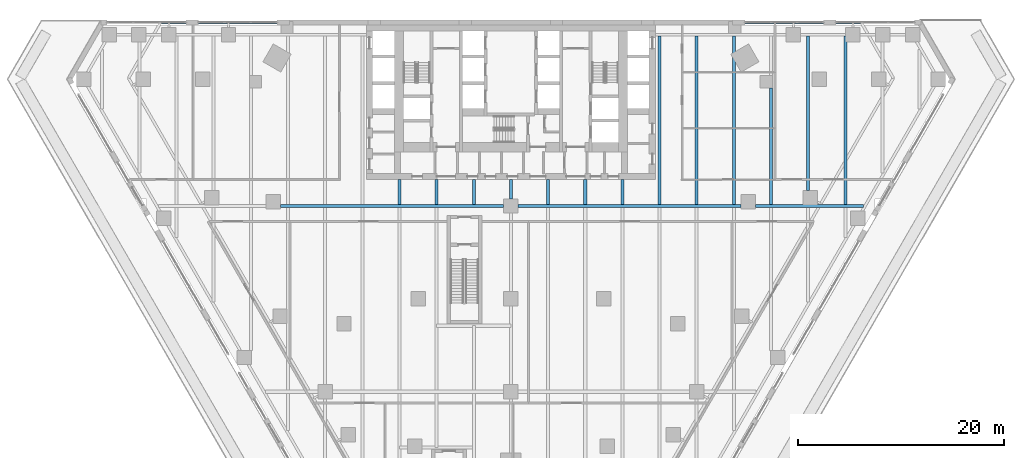
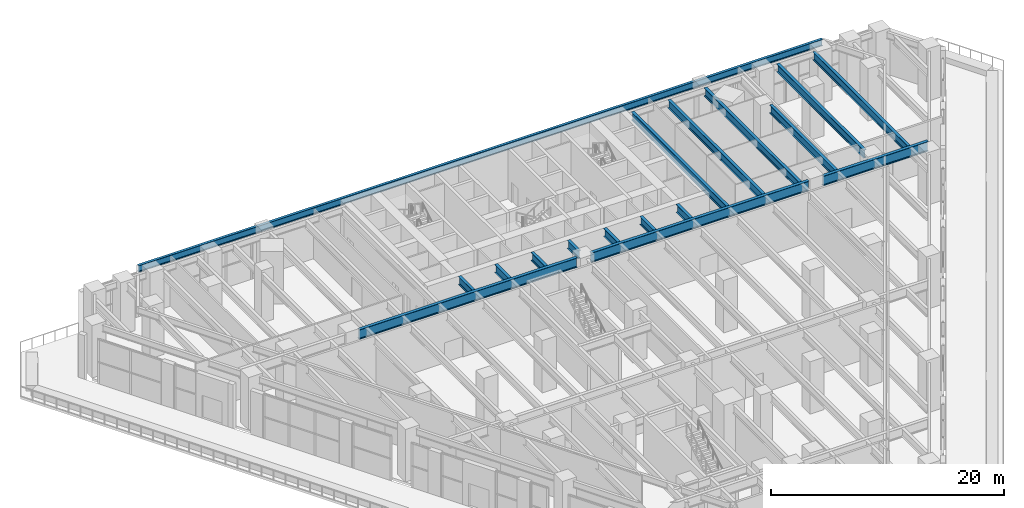
# One storey, part 12 of 30: 17 beams.
"""IFC4 building model written with IfcOpenShell, lengths in metres."""

from ifc_helpers import new_model, si_unit, direction, frame, origin, origin_2d, place, context, subcontext, project, spatial, i_section, extrude, material, material_profile, profile_set, type_object, element, save


model = new_model("IFC4")

# Units and contexts
model_context = context("Model", 3, precision=1e-05, world=origin(), true_north=direction((0.0, 1.0)))
body_context = subcontext(model_context, "Body", "Model", "MODEL_VIEW")
ifc_project = project(units=[si_unit("LENGTHUNIT", "METRE"), si_unit("AREAUNIT", "SQUARE_METRE"), si_unit("VOLUMEUNIT", "CUBIC_METRE"), si_unit("PLANEANGLEUNIT", "RADIAN"), si_unit("MASSUNIT", "GRAM", prefix="KILO")], contexts=[model_context])

# Site, building, storey
site_placement = place(None, origin())
site = spatial("IfcSite", under=ifc_project, at=site_placement, CompositionType="ELEMENT")
building_placement = place(site_placement, origin())
building = spatial("IfcBuilding", under=site, at=building_placement, Name="Aloe Facet Convention Tower", CompositionType="ELEMENT")
storey_placement = place(building_placement, frame((0.0, 0.0, 19.5)))
storey = spatial("IfcBuildingStorey", under=building, at=storey_placement, Name="L03", CompositionType="ELEMENT", Elevation=19.5)

# Beams
ifc_material_1 = material(Name="Steel S355", Category="steel")
ifc_material_profile_1 = material_profile(ifc_material_1, i_section(OverallWidth=0.25439453125, OverallDepth=0.6875, WebThickness=0.01318359375, FlangeThickness=0.02099609375, FilletRadius=0.01513671875, at=origin_2d()), Name="UB 686x254x152")
ifc_profile_set_1 = profile_set([ifc_material_profile_1], Name="Steel S355")
beam_type_1 = type_object("IfcBeamType", Name="EV-EB-UB686x254x152", PredefinedType="BEAM", material=ifc_profile_set_1)
beam_1_placement = place(storey_placement, frame((113.947021484375, 134.77490234375, 4.90625), z_axis=(-1.0, 0.0, 0.0), x_axis=(0.0, -1.0, 0.0)))
element("IfcBeam", 1, at=beam_1_placement, inside=storey, type_object=beam_type_1, Name="EB-L04-N", PredefinedType="BEAM", context=body_context, shape_type="SweptSolid", body=[
    extrude(i_section(OverallWidth=0.25439453125, OverallDepth=0.6875, WebThickness=0.01318359375, FlangeThickness=0.02099609375, FilletRadius=0.01513671875, at=origin_2d()), origin(), (0.0, 0.0, 1.0), 67.89404296875),
])
ifc_material_2 = material(Name="Steel S355", Category="steel")
ifc_material_profile_2 = material_profile(ifc_material_2, i_section(OverallWidth=0.305419921875, OverallDepth=1.02587890625, WebThickness=0.02001953125, FlangeThickness=0.031005859375, FilletRadius=0.030029296875, at=origin_2d()), Name="UB 1016x305x349")
ifc_profile_set_2 = profile_set([ifc_material_profile_2], Name="Steel S355")
beam_type_2 = type_object("IfcBeamType", Name="SF-B-UB1016x305x349", PredefinedType="BEAM", material=ifc_profile_set_2)
for number, where, z_axis, x_axis, name in (
    (2, (57.68408203125, 117.0, 4.737060546875), (1.0, 0.0, 0.0), (0.0, 1.0, 0.0), "Floor beam FB-L04-024"),
    (3, (80.699951171875, 117.0, 4.737060546875), (1.0, 0.0, 0.0), (0.0, 1.0, 0.0), "Floor beam FB-L04-031"),
):
    element("IfcBeam", number, at=place(storey_placement, frame(where, z_axis=z_axis, x_axis=x_axis)), inside=storey, type_object=beam_type_2, Name=name, PredefinedType="BEAM", context=body_context, shape_type="SweptSolid", body=[
        extrude(i_section(OverallWidth=0.305419921875, OverallDepth=1.02587890625, WebThickness=0.02001953125, FlangeThickness=0.031005859375, FilletRadius=0.030029296875, at=origin_2d()), origin(), (0.0, 0.0, 1.0), 21.615966796875),
    ])
beam_2_placement = place(storey_placement, frame((103.716064453125, 117.0, 4.737060546875), z_axis=(1.0, 0.0, 0.0), x_axis=(0.0, 1.0, 0.0)))
element("IfcBeam", 4, at=beam_2_placement, inside=storey, type_object=beam_type_2, Name="Floor beam FB-L04-033", PredefinedType="BEAM", context=body_context, shape_type="SweptSolid", body=[
    extrude(i_section(OverallWidth=0.305419921875, OverallDepth=1.02587890625, WebThickness=0.02001953125, FlangeThickness=0.031005859375, FilletRadius=0.030029296875, at=origin_2d()), origin(), (0.0, 0.0, 1.0), 10.438720703125),
])
ifc_material_3 = material(Name="Steel S355", Category="steel")
ifc_material_profile_3 = material_profile(ifc_material_3, i_section(OverallWidth=0.293701171875, OverallDepth=0.850830078125, WebThickness=0.01611328125, FlangeThickness=0.02685546875, FilletRadius=0.017822265625, at=origin_2d()), Name="UB 838x292x226")
ifc_profile_set_3 = profile_set([ifc_material_profile_3], Name="Steel S355")
beam_type_3 = type_object("IfcBeamType", Name="SF-B-UB838x292x226", PredefinedType="BEAM", material=ifc_profile_set_3)
for number, where, z_axis, x_axis, name in (
    (5, (69.199951171875, 117.152587890625, 4.824462890625), (0.0, 1.0, 0.0), (-1.0, 0.0, 0.0), "Floor beam FB-L04-058"),
    (6, (72.800048828125, 117.152587890625, 4.824462890625), (0.0, 1.0, 0.0), (-1.0, 0.0, 0.0), "Floor beam FB-L04-064"),
    (7, (76.39990234375, 117.152587890625, 4.824462890625), (0.0, 1.0, 0.0), (-1.0, 0.0, 0.0), "Floor beam FB-L04-069"),
):
    element("IfcBeam", number, at=place(storey_placement, frame(where, z_axis=z_axis, x_axis=x_axis)), inside=storey, type_object=beam_type_3, Name=name, PredefinedType="BEAM", context=body_context, shape_type="SweptSolid", body=[
        extrude(i_section(OverallWidth=0.293701171875, OverallDepth=0.850830078125, WebThickness=0.01611328125, FlangeThickness=0.02685546875, FilletRadius=0.017822265625, at=origin_2d()), origin(), (0.0, 0.0, 1.0), 2.3974609375),
    ])
beam_3_placement = place(storey_placement, frame((80.0, 117.699951171875, 4.824462890625), z_axis=(0.0, 1.0, 0.0), x_axis=(-1.0, 0.0, 0.0)))
element("IfcBeam", 8, at=beam_3_placement, inside=storey, type_object=beam_type_3, Name="Floor beam FB-L04-074", PredefinedType="BEAM", context=body_context, shape_type="SweptSolid", body=[
    extrude(i_section(OverallWidth=0.293701171875, OverallDepth=0.850830078125, WebThickness=0.01611328125, FlangeThickness=0.02685546875, FilletRadius=0.017822265625, at=origin_2d()), origin(), (0.0, 0.0, 1.0), 1.85009765625),
])
for number, where, z_axis, x_axis, name in (
    (9, (83.60009765625, 117.152587890625, 4.824462890625), (0.0, 1.0, 0.0), (-1.0, 0.0, 0.0), "Floor beam FB-L04-079"),
    (10, (87.199951171875, 117.152587890625, 4.824462890625), (0.0, 1.0, 0.0), (-1.0, 0.0, 0.0), "Floor beam FB-L04-083"),
    (11, (90.800048828125, 117.152587890625, 4.824462890625), (0.0, 1.0, 0.0), (-1.0, 0.0, 0.0), "Floor beam FB-L04-087"),
):
    element("IfcBeam", number, at=place(storey_placement, frame(where, z_axis=z_axis, x_axis=x_axis)), inside=storey, type_object=beam_type_3, Name=name, PredefinedType="BEAM", context=body_context, shape_type="SweptSolid", body=[
        extrude(i_section(OverallWidth=0.293701171875, OverallDepth=0.850830078125, WebThickness=0.01611328125, FlangeThickness=0.02685546875, FilletRadius=0.017822265625, at=origin_2d()), origin(), (0.0, 0.0, 1.0), 2.3974609375),
    ])
for number, where, z_axis, x_axis, name in (
    (12, (94.39990234375, 117.152587890625, 4.824462890625), (0.0, 1.0, 0.0), (-1.0, 0.0, 0.0), "Floor beam FB-L04-090"),
    (13, (98.0, 117.152587890625, 4.824462890625), (0.0, 1.0, 0.0), (-1.0, 0.0, 0.0), "Floor beam FB-L04-093"),
    (14, (101.60009765625, 117.152587890625, 4.824462890625), (0.0, 1.0, 0.0), (-1.0, 0.0, 0.0), "Floor beam FB-L04-096"),
):
    element("IfcBeam", number, at=place(storey_placement, frame(where, z_axis=z_axis, x_axis=x_axis)), inside=storey, type_object=beam_type_3, Name=name, PredefinedType="BEAM", context=body_context, shape_type="SweptSolid", body=[
        extrude(i_section(OverallWidth=0.293701171875, OverallDepth=0.850830078125, WebThickness=0.01611328125, FlangeThickness=0.02685546875, FilletRadius=0.017822265625, at=origin_2d()), origin(), (0.0, 0.0, 1.0), 16.31005859375),
    ])
beam_4_placement = place(storey_placement, frame((105.199951171875, 117.152587890625, 4.824462890625), z_axis=(0.0, 1.0, 0.0), x_axis=(-1.0, 0.0, 0.0)))
element("IfcBeam", 15, at=beam_4_placement, inside=storey, type_object=beam_type_3, Name="Floor beam FB-L04-098", PredefinedType="BEAM", context=body_context, shape_type="SweptSolid", body=[
    extrude(i_section(OverallWidth=0.293701171875, OverallDepth=0.850830078125, WebThickness=0.01611328125, FlangeThickness=0.02685546875, FilletRadius=0.017822265625, at=origin_2d()), origin(), (0.0, 0.0, 1.0), 11.275390625),
])
beam_5_placement = place(storey_placement, frame((108.800048828125, 118.5048828125, 4.824462890625), z_axis=(0.0, 1.0, 0.0), x_axis=(-1.0, 0.0, 0.0)))
element("IfcBeam", 16, at=beam_5_placement, inside=storey, type_object=beam_type_3, Name="Floor beam FB-L04-101", PredefinedType="BEAM", context=body_context, shape_type="SweptSolid", body=[
    extrude(i_section(OverallWidth=0.293701171875, OverallDepth=0.850830078125, WebThickness=0.01611328125, FlangeThickness=0.02685546875, FilletRadius=0.017822265625, at=origin_2d()), origin(), (0.0, 0.0, 1.0), 14.957763671875),
])
beam_6_placement = place(storey_placement, frame((112.39990234375, 117.152587890625, 4.824462890625), z_axis=(0.0, 1.0, 0.0), x_axis=(-1.0, 0.0, 0.0)))
element("IfcBeam", 17, at=beam_6_placement, inside=storey, type_object=beam_type_3, Name="Floor beam FB-L04-103", PredefinedType="BEAM", context=body_context, shape_type="SweptSolid", body=[
    extrude(i_section(OverallWidth=0.293701171875, OverallDepth=0.850830078125, WebThickness=0.01611328125, FlangeThickness=0.02685546875, FilletRadius=0.017822265625, at=origin_2d()), origin(), (0.0, 0.0, 1.0), 16.31005859375),
])

save(model, "model.ifc")
